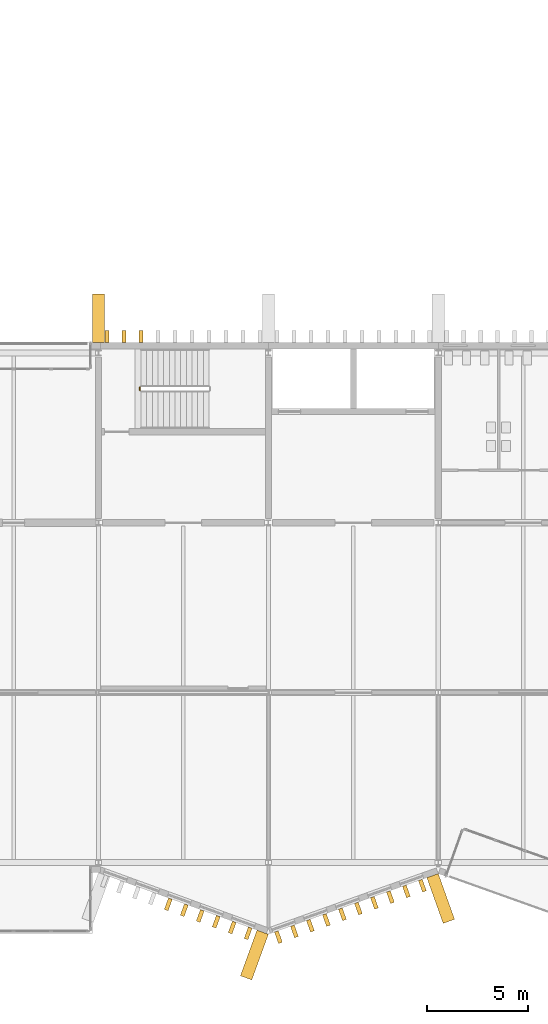
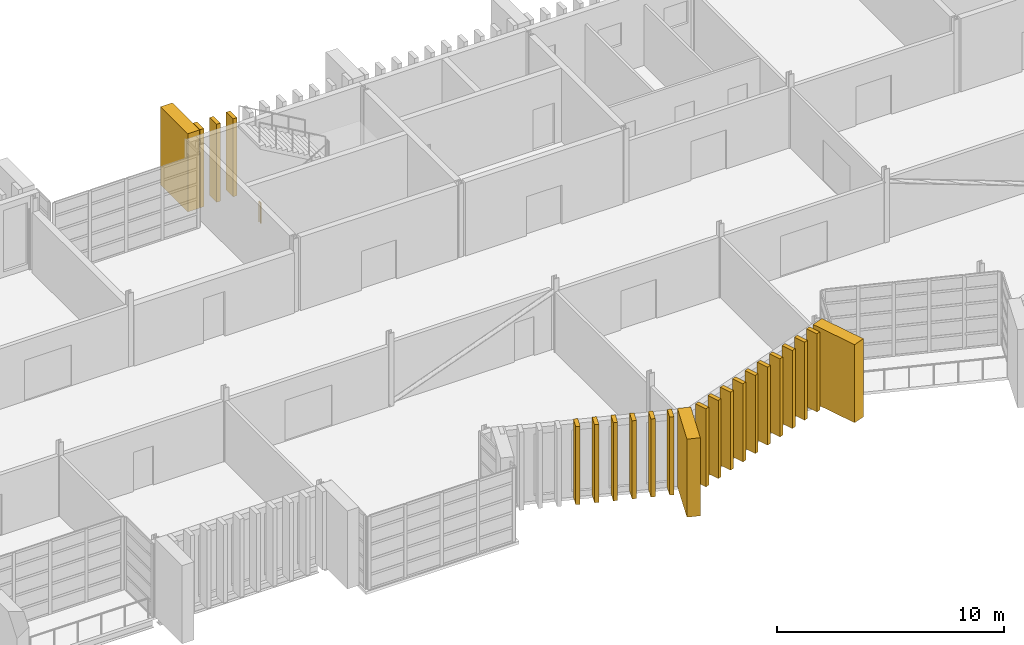
# One storey, part 80 of 88: 22 coverings, 1 railing.
"""IFC4 building model written with IfcOpenShell, lengths in metres."""

import ifcopenshell
import ifcopenshell.guid

model = None  # the IFC model being written
_history = None  # IfcOwnerHistory: only IFC2X3 demands one
_inside = {}  # id of a spatial element -> (the spatial element, [elements in it])
_under = {}  # id of a project, library or spatial element -> (it, [spatial elements below it])
_declared = {}  # id of a project -> (the project, [libraries it declares])
_typed = {}  # id of a type object -> (the type object, [elements of that type])
_made_of = {}  # id of a material, layer set ... -> (it, [elements and type objects made of it])


def new_model(schema):
    """Start an empty IFC model of exactly this schema.

    Asked for "IFC4X3", IfcOpenShell would pick the latest addendum, in which some entities
    have other attributes; the version numbers below select the first issue.
    IFC2X3 requires an IfcOwnerHistory on every rooted entity: one is made here for all.
    """
    global model, _history
    if schema == "IFC4X3":
        model = ifcopenshell.file(schema_version=(4, 3, 0, 0))
    else:
        model = ifcopenshell.file(schema=schema)
    _inside.clear()
    _under.clear()
    _declared.clear()
    _typed.clear()
    _made_of.clear()
    _history = None
    if model.schema == "IFC2X3":
        org = make("IfcOrganization", Name="unknown")
        user = make(
            "IfcPersonAndOrganization",
            ThePerson=make("IfcPerson", FamilyName="unknown"),
            TheOrganization=org,
        )
        app = make(
            "IfcApplication",
            ApplicationDeveloper=org,
            Version="unknown",
            ApplicationFullName="unknown",
            ApplicationIdentifier="unknown",
        )
        _history = make(
            "IfcOwnerHistory",
            OwningUser=user,
            OwningApplication=app,
            ChangeAction="ADDED",
            CreationDate=0,
        )
    return model


def make(cls, **values):
    """One entity of the class cls with the attributes given. An attribute that is None is left unset."""
    return model.create_entity(
        cls, **{name: value for name, value in values.items() if value is not None}
    )


def rooted(cls, **values):
    """An entity with a GlobalId (a new one), such as an element, a storey or a relation."""
    return make(cls, GlobalId=ifcopenshell.guid.new(), OwnerHistory=_history, **values)


def si_unit(unit_type, name, prefix=None):
    """IfcSIUnit, for example si_unit("LENGTHUNIT", "METRE", prefix="MILLI")."""
    return make("IfcSIUnit", UnitType=unit_type, Prefix=prefix, Name=name)


def assignment(units):
    """IfcUnitAssignment: the units of a project."""
    return None if units is None else make("IfcUnitAssignment", Units=units)


def point(xyz):
    """IfcCartesianPoint."""
    return None if xyz is None else make("IfcCartesianPoint", Coordinates=xyz)


def direction(xyz):
    """IfcDirection."""
    return None if xyz is None else make("IfcDirection", DirectionRatios=xyz)


def frame(location, z_axis=None, x_axis=None):
    """IfcAxis2Placement3D, a coordinate frame: its origin and axes. An axis left out is left unset."""
    return make(
        "IfcAxis2Placement3D",
        Location=point(location),
        Axis=direction(z_axis),
        RefDirection=direction(x_axis),
    )


def frame_2d(location, x_axis=None):
    """IfcAxis2Placement2D, a coordinate frame in the plane: its origin and x axis."""
    return make(
        "IfcAxis2Placement2D", Location=point(location), RefDirection=direction(x_axis)
    )


def origin():
    """The frame at (0, 0, 0) with its axes left unset."""
    return frame((0.0, 0.0, 0.0))


def origin_2d():
    """The frame at (0, 0) in the plane with its x axis left unset."""
    return frame_2d((0.0, 0.0))


def place(relative_to, where):
    """IfcLocalPlacement: puts the frame where relative to a parent placement (None: the world)."""
    return make(
        "IfcLocalPlacement", PlacementRelTo=relative_to, RelativePlacement=where
    )


def context(
    kind, dimensions, precision=None, world=None, true_north=None, identifier=None
):
    """IfcGeometricRepresentationContext, for example the 3D "Model" context."""
    return make(
        "IfcGeometricRepresentationContext",
        ContextIdentifier=identifier,
        ContextType=kind,
        CoordinateSpaceDimension=dimensions,
        Precision=precision,
        WorldCoordinateSystem=world,
        TrueNorth=true_north,
    )


def subcontext(parent, identifier, kind, view, scale=None):
    """IfcGeometricRepresentationSubContext, for example "Body" below "Model"."""
    return make(
        "IfcGeometricRepresentationSubContext",
        ContextIdentifier=identifier,
        ContextType=kind,
        ParentContext=parent,
        TargetScale=scale,
        TargetView=view,
    )


def project(units=None, contexts=None):
    """IfcProject with its units and contexts."""
    return rooted(
        "IfcProject",
        Name="project",
        RepresentationContexts=contexts,
        UnitsInContext=assignment(units),
    )


def spatial(cls, under=None, at=None, **own):
    """A site, building, storey or space (cls), placed at a placement, below another one or the project."""
    s = rooted(cls, ObjectPlacement=at, **own)
    if under is not None:
        _under.setdefault(under.id(), (under, []))[1].append(s)
    return s


def profile(cls, at=None, kind="AREA", **sizes):
    """A parametric profile (cls). Its sizes go by their IFC names, for example OverallWidth=200.0."""
    return make(cls, ProfileType=kind, Position=at, **sizes)


def rectangle(**sizes):
    """IfcRectangleProfileDef."""
    return profile("IfcRectangleProfileDef", **sizes)


def circle(**sizes):
    """IfcCircleProfileDef."""
    return profile("IfcCircleProfileDef", **sizes)


def extrude(swept, where, along, depth):
    """IfcExtrudedAreaSolid: the profile swept, set in the frame where, extruded along a direction by depth."""
    return make(
        "IfcExtrudedAreaSolid",
        SweptArea=swept,
        Position=where,
        ExtrudedDirection=direction(along),
        Depth=depth,
    )


def shape(context_of_items, identifier, shape_type, items):
    """IfcShapeRepresentation: the items that make up one representation, for example the "Body"."""
    return make(
        "IfcShapeRepresentation",
        ContextOfItems=context_of_items,
        RepresentationIdentifier=identifier,
        RepresentationType=shape_type,
        Items=items,
    )


def material(Name=None, Category=None):
    """IfcMaterial."""
    return make("IfcMaterial", Name=Name, Category=Category)


def made_of(thing, what):
    """Note that an element or type object is made of a material, layer set ...; save() writes the relation."""
    if what is not None:
        _made_of.setdefault(what.id(), (what, []))[1].append(thing)
    return thing


def type_object(cls, material=None, **own):
    """A type object (cls), such as IfcWallType, which elements share."""
    return made_of(rooted(cls, **own), material)


def element(
    cls,
    number,
    at=None,
    inside=None,
    cuts=None,
    type_object=None,
    material=None,
    context=None,
    identifier="Body",
    shape_type=None,
    held_by="IfcProductDefinitionShape",
    body=None,
    shapes=None,
    **own,
):
    """One element of the class cls, such as IfcWall. Its Tag is "e" and its number.

    at: its placement. inside: the storey or other place that contains it. cuts: it is an
    opening in that element (IfcRelVoidsElement). A single representation is given by context,
    identifier, shape_type and body (its items); several are given by shapes. held_by: the class
    of the entity that holds the representations. save() writes the other relations.
    """
    e = rooted(cls, Tag="e%d" % number, ObjectPlacement=at, **own)
    if body is not None:
        shapes = [shape(context, identifier, shape_type, body)]
    if shapes is not None:
        e.Representation = make(held_by, Representations=shapes)
    if inside is not None:
        _inside.setdefault(inside.id(), (inside, []))[1].append(e)
    if cuts is not None:
        rooted(
            "IfcRelVoidsElement", RelatingBuildingElement=cuts, RelatedOpeningElement=e
        )
    if type_object is not None:
        _typed.setdefault(type_object.id(), (type_object, []))[1].append(e)
    return made_of(e, material)


def aggregate(whole, parts):
    """IfcRelAggregates: a whole, such as a stair, and the parts it consists of."""
    return rooted("IfcRelAggregates", RelatingObject=whole, RelatedObjects=parts)


def save(model, path):
    """Write the relations noted so far, then the file.

    IfcRelAggregates (storeys below a building ...), IfcRelContainedInSpatialStructure (elements
    in a storey), IfcRelDefinesByType, IfcRelAssociatesMaterial and IfcRelDeclares: one each for
    every whole, place, type object, material and project.
    """
    for whole, parts in _under.values():
        aggregate(whole, parts)
    for where, things in _inside.values():
        rooted(
            "IfcRelContainedInSpatialStructure",
            RelatedElements=things,
            RelatingStructure=where,
        )
    for kind, things in _typed.values():
        rooted("IfcRelDefinesByType", RelatedObjects=things, RelatingType=kind)
    for what, things in _made_of.values():
        rooted("IfcRelAssociatesMaterial", RelatedObjects=things, RelatingMaterial=what)
    for by, libraries in _declared.values():
        rooted("IfcRelDeclares", RelatingContext=by, RelatedDefinitions=libraries)
    model.write(path)


model = new_model("IFC4")

# Units and contexts
model_context = context("Model", 3, precision=1e-05, world=origin(), true_north=direction((0.0, 1.0)))
body_context = subcontext(model_context, "Body", "Model", "MODEL_VIEW")
ifc_project = project(units=[si_unit("LENGTHUNIT", "METRE"), si_unit("AREAUNIT", "SQUARE_METRE"), si_unit("VOLUMEUNIT", "CUBIC_METRE"), si_unit("PLANEANGLEUNIT", "RADIAN"), si_unit("MASSUNIT", "GRAM", prefix="KILO")], contexts=[model_context])

# Site, building, storey
site_placement = place(None, origin())
site = spatial("IfcSite", under=ifc_project, at=site_placement, CompositionType="ELEMENT")
building_placement = place(site_placement, origin())
building = spatial("IfcBuilding", under=site, at=building_placement, Name="Cresset Court Congress Hotel", CompositionType="ELEMENT")
storey_placement = place(building_placement, frame((0.0, 0.0, 14.39990234375)))
storey = spatial("IfcBuildingStorey", under=building, at=storey_placement, Name="L03", CompositionType="ELEMENT", Elevation=14.39990234375)

# Railing
ifc_material_1 = material(Name="Steel and laminated glass", Category="steel")
railing_type = type_object("IfcRailingType", Name="Guard 1100 steel and glass", PredefinedType="GUARDRAIL", material=ifc_material_1)
railing_placement = place(storey_placement, frame((102.85009765625, 23.35009765625, 0.0)))
element("IfcRailing", 1, at=railing_placement, inside=storey, type_object=railing_type, Name="L03 ST-B4 stair guard 4", PredefinedType="GUARDRAIL", context=body_context, shape_type="SweptSolid", body=[
    extrude(circle(Radius=0.02392578125, at=origin_2d()), frame((0.0, 0.0, 1.076171875), z_axis=(0.0, 1.0, 0.0), x_axis=(-1.0, 0.0, 0.0)), (0.0, 0.0, 1.0), 0.14990234375),
    extrude(circle(Radius=0.02099609375, at=origin_2d()), origin(), (0.0, 0.0, 1.0), 1.052001953125),
    extrude(circle(Radius=0.02099609375, at=origin_2d()), frame((0.0, 0.14990234375, 0.0)), (0.0, 0.0, 1.0), 1.052001953125),
])

# Coverings
ifc_material_2 = material(Name="Precast concrete C50", Category="concrete")
covering_type_1 = type_object("IfcCoveringType", Name="Precast stone fin 200x600 variant 1", PredefinedType="CLADDING", material=ifc_material_2)
for number, where, z_axis, x_axis, name in (
    (2, (104.250732421875, -2.072021484375, 0.0), (0.0, 0.0, 1.0), (0.939956783309, -0.341293488819, 0.0), "Fin S03-114"),
    (3, (105.040283203125, -2.358642578125, 0.0), (0.0, 0.0, 1.0), (0.939956783309, -0.341293488819, 0.0), "Fin S03-115"),
    (4, (105.829833984375, -2.6455078125, 0.0), (0.0, 0.0, 1.0), (0.939956783309, -0.341293488819, 0.0), "Fin S03-116"),
    (5, (106.619384765625, -2.93212890625, 0.0), (0.0, 0.0, 1.0), (0.939956783309, -0.341293488819, 0.0), "Fin S03-117"),
    (6, (107.408935546875, -3.21875, 0.0), (0.0, 0.0, 1.0), (0.939956783309, -0.341293488819, 0.0), "Fin S03-118"),
    (7, (108.198486328125, -3.505615234375, 0.0), (0.0, 0.0, 1.0), (0.939956783309, -0.341293488819, 0.0), "Fin S03-119"),
    (8, (109.696533203125, -3.691162109375, 0.0), (0.0, 0.0, 1.0), (0.94174205282, 0.336336001568, 0.0), "Fin S03-120"),
    (9, (110.487548828125, -3.40869140625, 0.0), (0.0, 0.0, 1.0), (0.94174205282, 0.336336001568, 0.0), "Fin S03-121"),
    (10, (111.278564453125, -3.126220703125, 0.0), (0.0, 0.0, 1.0), (0.94174205282, 0.336336001568, 0.0), "Fin S03-122"),
    (11, (112.069580078125, -2.84375, 0.0), (0.0, 0.0, 1.0), (0.94174205282, 0.336336001568, 0.0), "Fin S03-123"),
    (12, (112.860595703125, -2.561279296875, 0.0), (0.0, 0.0, 1.0), (0.94174205282, 0.336336001568, 0.0), "Fin S03-124"),
    (13, (113.65185546875, -2.278564453125, 0.0), (0.0, 0.0, 1.0), (0.94174205282, 0.336336001568, 0.0), "Fin S03-125"),
    (14, (114.44287109375, -1.99609375, 0.0), (0.0, 0.0, 1.0), (0.94174205282, 0.336336001568, 0.0), "Fin S03-126"),
    (15, (115.23388671875, -1.713623046875, 0.0), (0.0, 0.0, 1.0), (0.94174205282, 0.336336001568, 0.0), "Fin S03-127"),
    (16, (116.02490234375, -1.43115234375, 0.0), (0.0, 0.0, 1.0), (0.94174205282, 0.336336001568, 0.0), "Fin S03-128"),
    (17, (116.81591796875, -1.1484375, 0.0), (0.0, 0.0, 1.0), (0.94174205282, 0.336336001568, 0.0), "Fin S03-129"),
    (18, (101.219970703125, 26.0, 0.0), (0.0, 0.0, 1.0), (1.0, 0.0, 0.0), "Fin N03-110"),
    (19, (102.06005859375, 26.0, 0.0), (0.0, 0.0, 1.0), (1.0, 0.0, 0.0), "Fin N03-111"),
    (20, (102.89990234375, 26.0, 0.0), (0.0, 0.0, 1.0), (1.0, 0.0, 0.0), "Fin N03-112"),
):
    element("IfcCovering", number, at=place(storey_placement, frame(where, z_axis=z_axis, x_axis=x_axis)), inside=storey, type_object=covering_type_1, Name=name, PredefinedType="CLADDING", context=body_context, shape_type="SweptSolid", body=[
        extrude(rectangle(XDim=0.199951171875, YDim=0.60009765625, at=origin_2d()), origin(), (0.0, 0.0, 1.0), 4.199951171875),
    ])
ifc_material_3 = material(Name="Precast concrete C50", Category="concrete")
covering_type_2 = type_object("IfcCoveringType", Name="Precast stone pier 600x2400", PredefinedType="CLADDING", material=ifc_material_3)
for number, where, z_axis, x_axis, name in (
    (21, (108.508544921875, -4.575439453125, 0.0), (0.0, 0.0, 1.0), (0.939956783309, -0.341293488819, 0.0), "Pier S03-12"),
    (22, (117.72119140625, -1.781005859375, 0.0), (0.0, 0.0, 1.0), (0.94174205282, 0.336336001568, 0.0), "Pier S03-13"),
    (23, (100.800048828125, 26.89990234375, 0.0), (0.0, 0.0, 1.0), (1.0, 0.0, 0.0), "Pier N03-11"),
):
    element("IfcCovering", number, at=place(storey_placement, frame(where, z_axis=z_axis, x_axis=x_axis)), inside=storey, type_object=covering_type_2, Name=name, PredefinedType="CLADDING", context=body_context, shape_type="SweptSolid", body=[
        extrude(rectangle(XDim=0.60009765625, YDim=2.39990234375, at=origin_2d()), origin(), (0.0, 0.0, 1.0), 4.199951171875),
    ])

save(model, "model.ifc")
